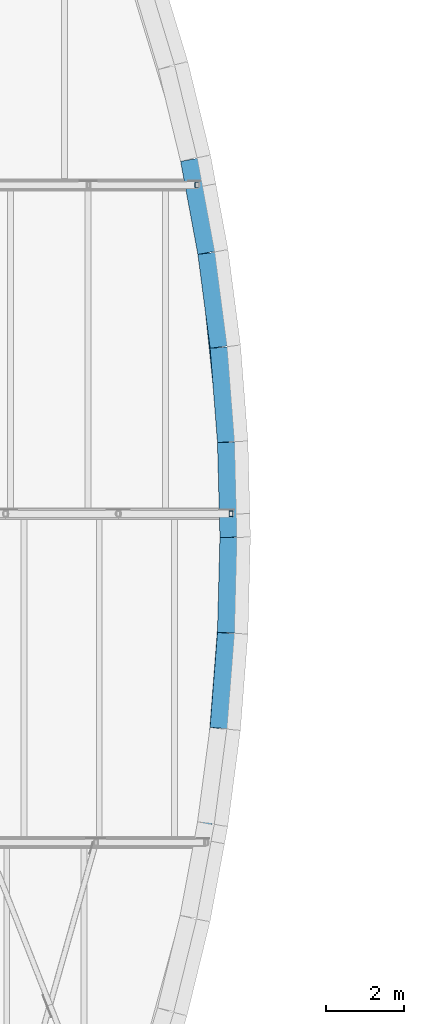
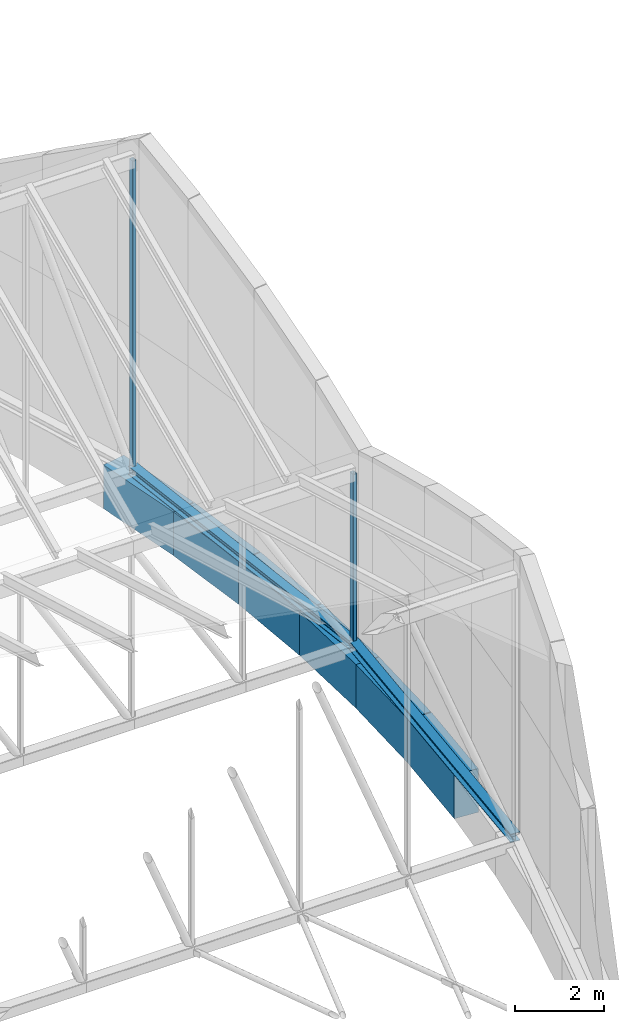
# One storey, part 27 of 68: 8 beams, 2 members.
"""IFC4 building model written with IfcOpenShell, lengths in metres."""

from ifc_helpers import new_model, si_unit, direction, frame, origin, origin_2d, place, context, subcontext, project, spatial, rectangle, hollow_rectangle, i_section, extrude, material, material_profile, profile_set, type_object, element, save


model = new_model("IFC4")

# Units and contexts
model_context = context("Model", 3, precision=1e-05, world=origin(), true_north=direction((0.0, 1.0)))
body_context = subcontext(model_context, "Body", "Model", "MODEL_VIEW")
ifc_project = project(units=[si_unit("LENGTHUNIT", "METRE"), si_unit("AREAUNIT", "SQUARE_METRE"), si_unit("VOLUMEUNIT", "CUBIC_METRE"), si_unit("PLANEANGLEUNIT", "RADIAN"), si_unit("MASSUNIT", "GRAM", prefix="KILO")], contexts=[model_context])

# Site, building, storey
site_placement = place(None, origin())
site = spatial("IfcSite", under=ifc_project, at=site_placement, CompositionType="ELEMENT")
building_placement = place(site_placement, origin())
building = spatial("IfcBuilding", under=site, at=building_placement, Name="Larchfold Concert Hall", CompositionType="ELEMENT")
storey_placement = place(building_placement, frame((0.0, 0.0, 28.800048828125)))
storey = spatial("IfcBuildingStorey", under=building, at=storey_placement, Name="L06", CompositionType="ELEMENT", Elevation=28.800048828125)

# Beams
ifc_material_1 = material(Name="Concrete C40/50", Category="concrete")
ifc_material_profile_1 = material_profile(ifc_material_1, rectangle(XDim=0.60009765625, YDim=1.199951171875, at=origin_2d()))
ifc_profile_set_1 = profile_set([ifc_material_profile_1], Name="Concrete C40/50")
beam_type_1 = type_object("IfcBeamType", Name="Beam RC 600x1200", PredefinedType="BEAM", material=ifc_profile_set_1)
beam_1_placement = place(storey_placement, frame((67.10009765625, 84.60009765625, -0.60009765625), z_axis=(-0.025761529885, 0.999668116716, 0.0), x_axis=(-0.999668116716, -0.025761529885, 0.0)))
element("IfcBeam", 1, at=beam_1_placement, inside=storey, type_object=beam_type_1, Name="Beam RB01", PredefinedType="BEAM", context=body_context, shape_type="SweptSolid", body=[
    extrude(rectangle(XDim=0.60009765625, YDim=1.199951171875, at=origin_2d()), origin(), (0.0, 0.0, 1.0), 2.426025390625),
])
for number, where, z_axis, x_axis, name in (
    (2, (67.036865234375, 87.041015625, -0.60009765625), (-0.077638363573, 0.996981586842, 0.0), (-0.996981586842, -0.077638363573, 0.0), "Beam RB02"),
    (3, (66.84765625, 89.467529296875, -0.60009765625), (-0.12973626617, 0.991548537007, 0.0), (-0.991548537007, -0.12973626617, 0.0), "Beam RB03"),
):
    element("IfcBeam", number, at=place(storey_placement, frame(where, z_axis=z_axis, x_axis=x_axis)), inside=storey, type_object=beam_type_1, Name=name, PredefinedType="BEAM", context=body_context, shape_type="SweptSolid", body=[
        extrude(rectangle(XDim=0.60009765625, YDim=1.199951171875, at=origin_2d()), origin(), (0.0, 0.0, 1.0), 2.418212890625),
    ])
beam_2_placement = place(storey_placement, frame((66.531494140625, 91.880859375, -0.60009765625), z_axis=(-0.182367681117, 0.98323040478, 0.0), x_axis=(-0.98323040478, -0.182367681117, 0.0)))
element("IfcBeam", 4, at=beam_2_placement, inside=storey, type_object=beam_type_1, Name="Beam RB04", PredefinedType="BEAM", context=body_context, shape_type="SweptSolid", body=[
    extrude(rectangle(XDim=0.60009765625, YDim=1.199951171875, at=origin_2d()), origin(), (0.0, 0.0, 1.0), 2.417724609375),
])
beam_3_placement = place(storey_placement, frame((66.84619140625, 79.718017578125, -0.60009765625), z_axis=(0.0779546659, 0.996956904818, 0.0), x_axis=(-0.996956904818, 0.0779546659, 0.0)))
element("IfcBeam", 5, at=beam_3_placement, inside=storey, type_object=beam_type_1, Name="Beam RB60", PredefinedType="BEAM", context=body_context, shape_type="SweptSolid", body=[
    extrude(rectangle(XDim=0.60009765625, YDim=1.199951171875, at=origin_2d()), origin(), (0.0, 0.0, 1.0), 2.433349609375),
])
beam_4_placement = place(storey_placement, frame((67.036865234375, 82.15966796875, -0.60009765625), z_axis=(0.0259016711, 0.999664495435, 0.0), x_axis=(-0.999664495435, 0.0259016711, 0.0)))
element("IfcBeam", 6, at=beam_4_placement, inside=storey, type_object=beam_type_1, Name="Beam RB61", PredefinedType="BEAM", context=body_context, shape_type="SweptSolid", body=[
    extrude(rectangle(XDim=0.60009765625, YDim=1.199951171875, at=origin_2d()), origin(), (0.0, 0.0, 1.0), 2.441162109375),
])
ifc_material_2 = material(Name="Steel S355", Category="steel")
ifc_material_profile_2 = material_profile(ifc_material_2, i_section(OverallWidth=0.239990234375, OverallDepth=0.22998046875, WebThickness=0.007568359375, FlangeThickness=0.011962890625, FilletRadius=0.02099609375, at=origin_2d()))
ifc_profile_set_2 = profile_set([ifc_material_profile_2], Name="Steel S355")
beam_type_2 = type_object("IfcBeamType", Name="Steel beam HEA 240", PredefinedType="BEAM", material=ifc_profile_set_2)
beam_5_placement = place(storey_placement, frame((66.435791015625, 76.800048828125, 0.114990234375), z_axis=(0.077024461504, 0.997029203349, 0.0), x_axis=(-0.997029203349, 0.077024461504, 0.0)))
element("IfcBeam", 7, at=beam_5_placement, inside=storey, type_object=beam_type_2, Name="Beam EM13", PredefinedType="BEAM", context=body_context, shape_type="SweptSolid", body=[
    extrude(i_section(OverallWidth=0.239990234375, OverallDepth=0.22998046875, WebThickness=0.007568359375, FlangeThickness=0.011962890625, FilletRadius=0.02099609375, at=origin_2d()), origin(), (0.0, 0.0, 1.0), 8.425048828125),
])
beam_6_placement = place(storey_placement, frame((67.084716796875, 85.199951171875, 0.114990234375), z_axis=(-0.103261112529, 0.994654282974, 0.0), x_axis=(-0.994654282974, -0.103261112529, 0.0)))
element("IfcBeam", 8, at=beam_6_placement, inside=storey, type_object=beam_type_2, Name="Beam EM14", PredefinedType="BEAM", context=body_context, shape_type="SweptSolid", body=[
    extrude(i_section(OverallWidth=0.239990234375, OverallDepth=0.22998046875, WebThickness=0.007568359375, FlangeThickness=0.011962890625, FilletRadius=0.02099609375, at=origin_2d()), origin(), (0.0, 0.0, 1.0), 8.4453125),
])

# Members
ifc_material_3 = material(Name="Steel S355J2H", Category="steel")
ifc_material_profile_3 = material_profile(ifc_material_3, hollow_rectangle(XDim=0.10009765625, YDim=0.14990234375, WallThickness=0.008056640625, InnerFilletRadius=0.008056640625, OuterFilletRadius=0.01611328125, at=origin_2d()))
ifc_profile_set_3 = profile_set([ifc_material_profile_3], Name="Steel S355J2H")
member_type = type_object("IfcMemberType", Name="Truss post RHS 150x100x8", PredefinedType="POST", material=ifc_profile_set_3)
member_1_placement = place(storey_placement, frame((67.084716796875, 85.199951171875, 4.800048828125), z_axis=(0.0, 0.0, -1.0), x_axis=(1.0, 0.0, 0.0)))
element("IfcMember", 9, at=member_1_placement, inside=storey, type_object=member_type, Name="Member FT4V18", PredefinedType="POST", context=body_context, shape_type="SweptSolid", body=[
    extrude(hollow_rectangle(XDim=0.10009765625, YDim=0.14990234375, WallThickness=0.008056640625, InnerFilletRadius=0.008056640625, OuterFilletRadius=0.01611328125, at=origin_2d()), origin(), (0.0, 0.0, 1.0), 4.800048828125),
])
member_2_placement = place(storey_placement, frame((66.212646484375, 93.60009765625, 8.599853515625), z_axis=(0.0, 0.0, -1.0), x_axis=(1.0, 0.0, 0.0)))
element("IfcMember", 10, at=member_2_placement, inside=storey, type_object=member_type, Name="Member FT5V18", PredefinedType="POST", context=body_context, shape_type="SweptSolid", body=[
    extrude(hollow_rectangle(XDim=0.10009765625, YDim=0.14990234375, WallThickness=0.008056640625, InnerFilletRadius=0.008056640625, OuterFilletRadius=0.01611328125, at=origin_2d()), origin(), (0.0, 0.0, 1.0), 8.599853515625),
])

save(model, "model.ifc")
